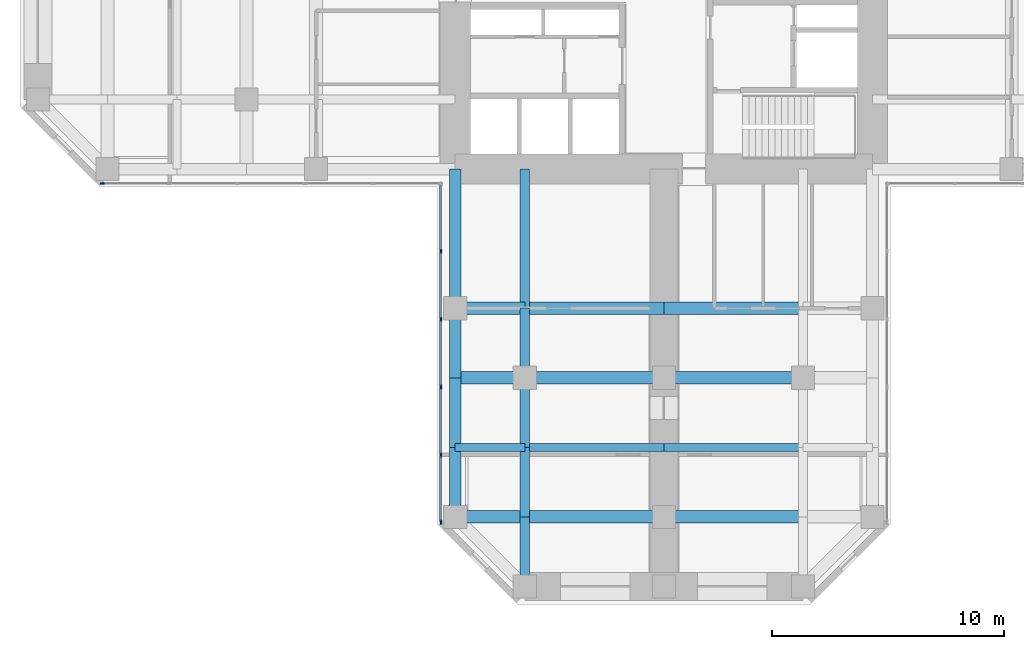
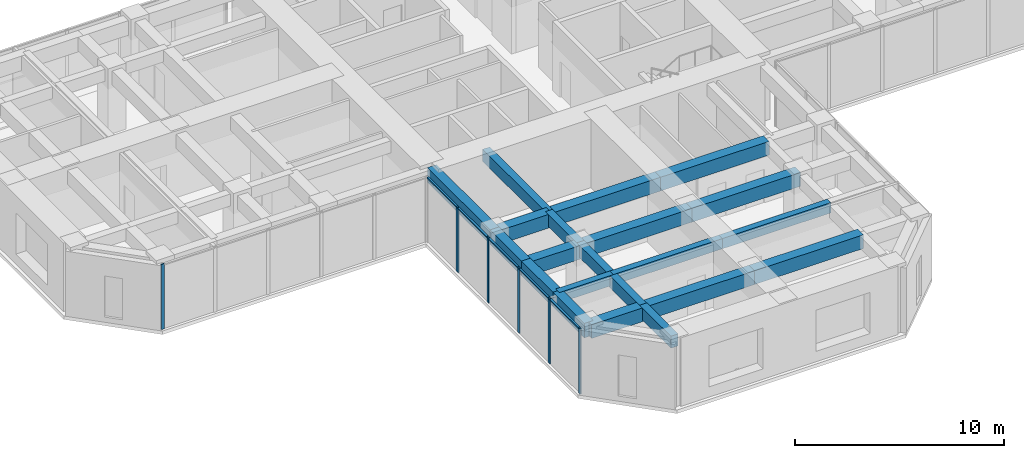
# One storey, part 2 of 13: 21 beams, 11 members, 2 elements without a shape of their own.
"""IFC4 building model written with IfcOpenShell, lengths in metres."""

from ifc_helpers import new_model, si_unit, direction, frame, origin, origin_2d, place, context, subcontext, project, spatial, rectangle, extrude, material, material_profile, profile_set, type_object, element, aggregate, save


model = new_model("IFC4")

# Units and contexts
model_context = context("Model", 3, precision=1e-05, world=origin(), true_north=direction((0.0, 1.0)))
body_context = subcontext(model_context, "Body", "Model", "MODEL_VIEW")
ifc_project = project(units=[si_unit("LENGTHUNIT", "METRE"), si_unit("AREAUNIT", "SQUARE_METRE"), si_unit("VOLUMEUNIT", "CUBIC_METRE"), si_unit("PLANEANGLEUNIT", "RADIAN"), si_unit("MASSUNIT", "GRAM", prefix="KILO")], contexts=[model_context])

# Site, building, storey
site_placement = place(None, origin())
site = spatial("IfcSite", under=ifc_project, at=site_placement, CompositionType="ELEMENT")
building_placement = place(site_placement, origin())
building = spatial("IfcBuilding", under=site, at=building_placement, Name="Torre Cruceta", CompositionType="ELEMENT")
storey_placement = place(building_placement, frame((0.0, 0.0, 124.5)))
storey = spatial("IfcBuildingStorey", under=building, at=storey_placement, Name="L30", CompositionType="ELEMENT", Elevation=124.5)

# Beams
ifc_material_1 = material(Name="Concrete G60 (fck 60 MPa)", Category="concrete")
ifc_material_profile_1 = material_profile(ifc_material_1, rectangle(XDim=0.39990234375, YDim=0.699951171875, at=origin_2d()), Name="RC 400X700")
ifc_profile_set_1 = profile_set([ifc_material_profile_1], Name="Concrete G60 (fck 60 MPa)")
beam_type_1 = type_object("IfcBeamType", Name="COLUMN LINE BEAM RC 400X700", PredefinedType="BEAM", material=ifc_profile_set_1)
beam_1_placement = place(storey_placement, frame((-6.0, -9.0, 3.449951171875), z_axis=(0.0, -1.0, 0.0), x_axis=(1.0, 0.0, 0.0)))
element("IfcBeam", 1, at=beam_1_placement, inside=storey, type_object=beam_type_1, Name="LB5 L30 S col- 1", PredefinedType="BEAM", context=body_context, shape_type="SweptSolid", body=[
    extrude(rectangle(XDim=0.39990234375, YDim=0.699951171875, at=origin_2d()), origin(), (0.0, 0.0, 1.0), 6.0),
])
for number, where, z_axis, x_axis, name in (
    (2, (-6.0, -15.0, 3.449951171875), (0.0, -1.0, 0.0), (1.0, 0.0, 0.0), "LB5 L30 S col- 2"),
    (3, (-6.0, -18.0, 3.449951171875), (0.0, -1.0, 0.0), (1.0, 0.0, 0.0), "LB5 L30 S col- 3"),
    (4, (-6.0, -21.0, 3.449951171875), (0.0, -1.0, 0.0), (1.0, 0.0, 0.0), "LB5 L30 S col- 4"),
    (5, (-6.0, -24.0, 3.449951171875), (0.0, -1.0, 0.0), (1.0, 0.0, 0.0), "LB5 L30 S col- 5"),
):
    element("IfcBeam", number, at=place(storey_placement, frame(where, z_axis=z_axis, x_axis=x_axis)), inside=storey, type_object=beam_type_1, Name=name, PredefinedType="BEAM", context=body_context, shape_type="SweptSolid", body=[
        extrude(rectangle(XDim=0.39990234375, YDim=0.699951171875, at=origin_2d()), origin(), (0.0, 0.0, 1.0), 3.0),
    ])
ifc_material_2 = material(Name="Concrete G60 (fck 60 MPa)", Category="concrete")
ifc_material_profile_2 = material_profile(ifc_material_2, rectangle(XDim=0.550048828125, YDim=0.800048828125, at=origin_2d()), Name="RC 550X800")
ifc_profile_set_2 = profile_set([ifc_material_profile_2], Name="Concrete G60 (fck 60 MPa)")
beam_type_2 = type_object("IfcBeamType", Name="CROSS BEAM RC 550X800", PredefinedType="BEAM", material=ifc_profile_set_2)
beam_2_placement = place(storey_placement, frame((-9.0, -15.0, 3.39990234375), z_axis=(1.0, 0.0, 0.0), x_axis=(0.0, 1.0, 0.0)))
element("IfcBeam", 6, at=beam_2_placement, inside=storey, type_object=beam_type_2, Name="GB5 L30 S cross15 1", PredefinedType="BEAM", context=body_context, shape_type="SweptSolid", body=[
    extrude(rectangle(XDim=0.550048828125, YDim=0.800048828125, at=origin_2d()), origin(), (0.0, 0.0, 1.0), 3.0),
])
for number, where, z_axis, x_axis, name in (
    (7, (-6.0, -15.0, 3.39990234375), (1.0, 0.0, 0.0), (0.0, 1.0, 0.0), "GB5 L30 S cross15 2"),
    (8, (0.0, -15.0, 3.39990234375), (1.0, 0.0, 0.0), (0.0, 1.0, 0.0), "GB5 L30 S cross15 3"),
):
    element("IfcBeam", number, at=place(storey_placement, frame(where, z_axis=z_axis, x_axis=x_axis)), inside=storey, type_object=beam_type_2, Name=name, PredefinedType="BEAM", context=body_context, shape_type="SweptSolid", body=[
        extrude(rectangle(XDim=0.550048828125, YDim=0.800048828125, at=origin_2d()), origin(), (0.0, 0.0, 1.0), 6.0),
    ])
beam_3_placement = place(storey_placement, frame((-9.0, -18.0, 3.39990234375), z_axis=(1.0, 0.0, 0.0), x_axis=(0.0, 1.0, 0.0)))
element("IfcBeam", 9, at=beam_3_placement, inside=storey, type_object=beam_type_2, Name="GB5 L30 S cross18 1", PredefinedType="BEAM", context=body_context, shape_type="SweptSolid", body=[
    extrude(rectangle(XDim=0.550048828125, YDim=0.800048828125, at=origin_2d()), origin(), (0.0, 0.0, 1.0), 3.0),
])
for number, where, z_axis, x_axis, name in (
    (10, (-6.0, -18.0, 3.39990234375), (1.0, 0.0, 0.0), (0.0, 1.0, 0.0), "GB5 L30 S cross18 2"),
    (11, (0.0, -18.0, 3.39990234375), (1.0, 0.0, 0.0), (0.0, 1.0, 0.0), "GB5 L30 S cross18 3"),
):
    element("IfcBeam", number, at=place(storey_placement, frame(where, z_axis=z_axis, x_axis=x_axis)), inside=storey, type_object=beam_type_2, Name=name, PredefinedType="BEAM", context=body_context, shape_type="SweptSolid", body=[
        extrude(rectangle(XDim=0.550048828125, YDim=0.800048828125, at=origin_2d()), origin(), (0.0, 0.0, 1.0), 6.0),
    ])
beam_4_placement = place(storey_placement, frame((-9.0, -24.0, 3.39990234375), z_axis=(1.0, 0.0, 0.0), x_axis=(0.0, 1.0, 0.0)))
element("IfcBeam", 12, at=beam_4_placement, inside=storey, type_object=beam_type_2, Name="GB5 L30 S cross24 1", PredefinedType="BEAM", context=body_context, shape_type="SweptSolid", body=[
    extrude(rectangle(XDim=0.550048828125, YDim=0.800048828125, at=origin_2d()), origin(), (0.0, 0.0, 1.0), 3.0),
])
for number, where, z_axis, x_axis, name in (
    (13, (-6.0, -24.0, 3.39990234375), (1.0, 0.0, 0.0), (0.0, 1.0, 0.0), "GB5 L30 S cross24 2"),
    (14, (0.0, -24.0, 3.39990234375), (1.0, 0.0, 0.0), (0.0, 1.0, 0.0), "GB5 L30 S cross24 3"),
):
    element("IfcBeam", number, at=place(storey_placement, frame(where, z_axis=z_axis, x_axis=x_axis)), inside=storey, type_object=beam_type_2, Name=name, PredefinedType="BEAM", context=body_context, shape_type="SweptSolid", body=[
        extrude(rectangle(XDim=0.550048828125, YDim=0.800048828125, at=origin_2d()), origin(), (0.0, 0.0, 1.0), 6.0),
    ])

# Curtain wall, member
ifc_material_3 = material(Name="Aluminium unitised curtain wall", Category="aluminium")
curtain_wall_type = type_object("IfcCurtainWallType", Name="CURTAIN WALL CW-B OFFICE MID RISE", PredefinedType="USERDEFINED", material=ifc_material_3)
curtain_wall_1_placement = place(storey_placement, origin())
curtain_wall_1 = element("IfcCurtainWall", 15, at=curtain_wall_1_placement, inside=storey, type_object=curtain_wall_type, Name="CW-B L30 W side 14", ObjectType="UNITISED", PredefinedType="USERDEFINED")
ifc_material_4 = material(Name="Aluminium mullion", Category="aluminium")
ifc_material_profile_3 = material_profile(ifc_material_4, rectangle(XDim=0.06494140625, YDim=0.179931640625, at=origin_2d()), Name="AL 65X180")
ifc_profile_set_3 = profile_set([ifc_material_profile_3], Name="Aluminium mullion")
member_type_1 = type_object("IfcMemberType", Name="CW-B MULLION 65X180", PredefinedType="MULLION", material=ifc_profile_set_3)
member_1_placement = place(storey_placement, frame((-24.224365234375, -9.6201171875, 0.0), z_axis=(0.0, 0.0, 1.0), x_axis=(0.0, 1.0, 0.0)))
member_1 = element("IfcMember", 16, at=member_1_placement, type_object=member_type_1, Name="CW-B mullion 1", PredefinedType="MULLION", context=body_context, shape_type="SweptSolid", body=[
    extrude(rectangle(XDim=0.06494140625, YDim=0.179931640625, at=origin_2d()), origin(), (0.0, 0.0, 1.0), 3.800048828125),
])
aggregate(curtain_wall_1, [member_1])

# Curtain wall, members
curtain_wall_2_placement = place(storey_placement, origin())
curtain_wall_2 = element("IfcCurtainWall", 17, at=curtain_wall_2_placement, inside=storey, type_object=curtain_wall_type, Name="CW-B L30 S side 15", ObjectType="UNITISED", PredefinedType="USERDEFINED")
member_2_placement = place(storey_placement, frame((-9.6201171875, -12.54736328125, 0.0), z_axis=(0.0, 0.0, 1.0), x_axis=(1.0, 0.0, 0.0)))
member_2 = element("IfcMember", 18, at=member_2_placement, type_object=member_type_1, Name="CW-B mullion 2", PredefinedType="MULLION", context=body_context, shape_type="SweptSolid", body=[
    extrude(rectangle(XDim=0.06494140625, YDim=0.179931640625, at=origin_2d()), origin(), (0.0, 0.0, 1.0), 3.800048828125),
])
member_3_placement = place(storey_placement, frame((-9.6201171875, -15.474609375, 0.0), z_axis=(0.0, 0.0, 1.0), x_axis=(1.0, 0.0, 0.0)))
member_3 = element("IfcMember", 19, at=member_3_placement, type_object=member_type_1, Name="CW-B mullion 3", PredefinedType="MULLION", context=body_context, shape_type="SweptSolid", body=[
    extrude(rectangle(XDim=0.06494140625, YDim=0.179931640625, at=origin_2d()), origin(), (0.0, 0.0, 1.0), 3.800048828125),
])
member_4_placement = place(storey_placement, frame((-9.6201171875, -18.402099609375, 0.0), z_axis=(0.0, 0.0, 1.0), x_axis=(1.0, 0.0, 0.0)))
member_4 = element("IfcMember", 20, at=member_4_placement, type_object=member_type_1, Name="CW-B mullion 4", PredefinedType="MULLION", context=body_context, shape_type="SweptSolid", body=[
    extrude(rectangle(XDim=0.06494140625, YDim=0.179931640625, at=origin_2d()), origin(), (0.0, 0.0, 1.0), 3.800048828125),
])
member_5_placement = place(storey_placement, frame((-9.6201171875, -21.329345703125, 0.0), z_axis=(0.0, 0.0, 1.0), x_axis=(1.0, 0.0, 0.0)))
member_5 = element("IfcMember", 21, at=member_5_placement, type_object=member_type_1, Name="CW-B mullion 5", PredefinedType="MULLION", context=body_context, shape_type="SweptSolid", body=[
    extrude(rectangle(XDim=0.06494140625, YDim=0.179931640625, at=origin_2d()), origin(), (0.0, 0.0, 1.0), 3.800048828125),
])
member_6_placement = place(storey_placement, frame((-9.6201171875, -24.224365234375, 0.0), z_axis=(0.0, 0.0, 1.0), x_axis=(1.0, 0.0, 0.0)))
member_6 = element("IfcMember", 22, at=member_6_placement, type_object=member_type_1, Name="CW-B mullion 6", PredefinedType="MULLION", context=body_context, shape_type="SweptSolid", body=[
    extrude(rectangle(XDim=0.06494140625, YDim=0.179931640625, at=origin_2d()), origin(), (0.0, 0.0, 1.0), 3.800048828125),
])
ifc_material_5 = material(Name="Aluminium transom", Category="aluminium")
ifc_material_profile_4 = material_profile(ifc_material_5, rectangle(XDim=0.110107421875, YDim=0.06494140625, at=origin_2d()), Name="AL 110X65")
ifc_profile_set_4 = profile_set([ifc_material_profile_4], Name="Aluminium transom")
member_type_2 = type_object("IfcMemberType", Name="CW-B TRANSOM 65X110", PredefinedType="USERDEFINED", material=ifc_profile_set_4)
member_7_placement = place(storey_placement, frame((-9.6201171875, -9.68505859375, 3.767578125), z_axis=(0.0, -1.0, 0.0), x_axis=(1.0, 0.0, 0.0)))
member_7 = element("IfcMember", 23, at=member_7_placement, type_object=member_type_2, Name="CW-B transom 1", ObjectType="TRANSOM", PredefinedType="USERDEFINED", context=body_context, shape_type="SweptSolid", body=[
    extrude(rectangle(XDim=0.110107421875, YDim=0.06494140625, at=origin_2d()), origin(), (0.0, 0.0, 1.0), 2.829833984375),
])
member_8_placement = place(storey_placement, frame((-9.6201171875, -12.579833984375, 3.767578125), z_axis=(0.0, -1.0, 0.0), x_axis=(1.0, 0.0, 0.0)))
member_8 = element("IfcMember", 24, at=member_8_placement, type_object=member_type_2, Name="CW-B transom 2", ObjectType="TRANSOM", PredefinedType="USERDEFINED", context=body_context, shape_type="SweptSolid", body=[
    extrude(rectangle(XDim=0.110107421875, YDim=0.06494140625, at=origin_2d()), origin(), (0.0, 0.0, 1.0), 2.8623046875),
])
member_9_placement = place(storey_placement, frame((-9.6201171875, -15.50732421875, 3.767578125), z_axis=(0.0, -1.0, 0.0), x_axis=(1.0, 0.0, 0.0)))
member_9 = element("IfcMember", 25, at=member_9_placement, type_object=member_type_2, Name="CW-B transom 3", ObjectType="TRANSOM", PredefinedType="USERDEFINED", context=body_context, shape_type="SweptSolid", body=[
    extrude(rectangle(XDim=0.110107421875, YDim=0.06494140625, at=origin_2d()), origin(), (0.0, 0.0, 1.0), 2.8623046875),
])
member_10_placement = place(storey_placement, frame((-9.6201171875, -18.4345703125, 3.767578125), z_axis=(0.0, -1.0, 0.0), x_axis=(1.0, 0.0, 0.0)))
member_10 = element("IfcMember", 26, at=member_10_placement, type_object=member_type_2, Name="CW-B transom 4", ObjectType="TRANSOM", PredefinedType="USERDEFINED", context=body_context, shape_type="SweptSolid", body=[
    extrude(rectangle(XDim=0.110107421875, YDim=0.06494140625, at=origin_2d()), origin(), (0.0, 0.0, 1.0), 2.8623046875),
])
member_11_placement = place(storey_placement, frame((-9.6201171875, -21.362060546875, 3.767578125), z_axis=(0.0, -1.0, 0.0), x_axis=(1.0, 0.0, 0.0)))
member_11 = element("IfcMember", 27, at=member_11_placement, type_object=member_type_2, Name="CW-B transom 5", ObjectType="TRANSOM", PredefinedType="USERDEFINED", context=body_context, shape_type="SweptSolid", body=[
    extrude(rectangle(XDim=0.110107421875, YDim=0.06494140625, at=origin_2d()), origin(), (0.0, 0.0, 1.0), 2.829833984375),
])
aggregate(curtain_wall_2, [member_2, member_3, member_4, member_5, member_6, member_7, member_8, member_9, member_10, member_11])

# Beams
ifc_material_6 = material(Name="Concrete G60 (fck 60 MPa)", Category="concrete")
ifc_material_profile_5 = material_profile(ifc_material_6, rectangle(XDim=0.35009765625, YDim=0.60009765625, at=origin_2d()), Name="RC 350X600")
ifc_profile_set_5 = profile_set([ifc_material_profile_5], Name="Concrete G60 (fck 60 MPa)")
beam_type_3 = type_object("IfcBeamType", Name="SECONDARY BEAM RC 350X600", PredefinedType="JOIST", material=ifc_profile_set_5)
beam_5_placement = place(storey_placement, frame((-9.0, -21.0, 3.5), z_axis=(1.0, 0.0, 0.0), x_axis=(0.0, 1.0, 0.0)))
element("IfcBeam", 28, at=beam_5_placement, inside=storey, type_object=beam_type_3, Name="JB5 L30 S sec21 1", PredefinedType="JOIST", context=body_context, shape_type="SweptSolid", body=[
    extrude(rectangle(XDim=0.35009765625, YDim=0.60009765625, at=origin_2d()), origin(), (0.0, 0.0, 1.0), 3.0),
])
for number, where, z_axis, x_axis, name in (
    (29, (-6.0, -21.0, 3.5), (1.0, 0.0, 0.0), (0.0, 1.0, 0.0), "JB5 L30 S sec21 2"),
    (30, (0.0, -21.0, 3.5), (1.0, 0.0, 0.0), (0.0, 1.0, 0.0), "JB5 L30 S sec21 3"),
):
    element("IfcBeam", number, at=place(storey_placement, frame(where, z_axis=z_axis, x_axis=x_axis)), inside=storey, type_object=beam_type_3, Name=name, PredefinedType="JOIST", context=body_context, shape_type="SweptSolid", body=[
        extrude(rectangle(XDim=0.35009765625, YDim=0.60009765625, at=origin_2d()), origin(), (0.0, 0.0, 1.0), 6.0),
    ])
ifc_material_7 = material(Name="Concrete G60 (fck 60 MPa)", Category="concrete")
ifc_material_profile_6 = material_profile(ifc_material_7, rectangle(XDim=0.5, YDim=0.85009765625, at=origin_2d()), Name="RC 500X850")
ifc_profile_set_6 = profile_set([ifc_material_profile_6], Name="Concrete G60 (fck 60 MPa)")
beam_type_4 = type_object("IfcBeamType", Name="SPANDREL BEAM RC 500X850", PredefinedType="SPANDREL", material=ifc_profile_set_6)
beam_6_placement = place(storey_placement, frame((-9.0, -9.0, 3.375), z_axis=(0.0, -1.0, 0.0), x_axis=(1.0, 0.0, 0.0)))
element("IfcBeam", 31, at=beam_6_placement, inside=storey, type_object=beam_type_4, Name="SB5 L30 S side- 1", PredefinedType="SPANDREL", context=body_context, shape_type="SweptSolid", body=[
    extrude(rectangle(XDim=0.5, YDim=0.85009765625, at=origin_2d()), origin(), (0.0, 0.0, 1.0), 6.0),
])
for number, where, z_axis, x_axis, name in (
    (32, (-9.0, -15.0, 3.375), (0.0, -1.0, 0.0), (1.0, 0.0, 0.0), "SB5 L30 S side- 2"),
    (33, (-9.0, -18.0, 3.375), (0.0, -1.0, 0.0), (1.0, 0.0, 0.0), "SB5 L30 S side- 3"),
    (34, (-9.0, -21.0, 3.375), (0.0, -1.0, 0.0), (1.0, 0.0, 0.0), "SB5 L30 S side- 4"),
):
    element("IfcBeam", number, at=place(storey_placement, frame(where, z_axis=z_axis, x_axis=x_axis)), inside=storey, type_object=beam_type_4, Name=name, PredefinedType="SPANDREL", context=body_context, shape_type="SweptSolid", body=[
        extrude(rectangle(XDim=0.5, YDim=0.85009765625, at=origin_2d()), origin(), (0.0, 0.0, 1.0), 3.0),
    ])

save(model, "model.ifc")
